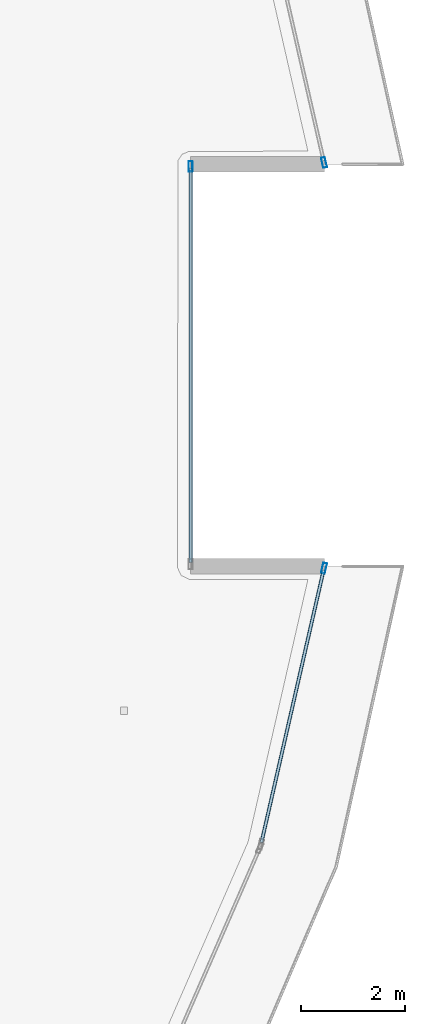
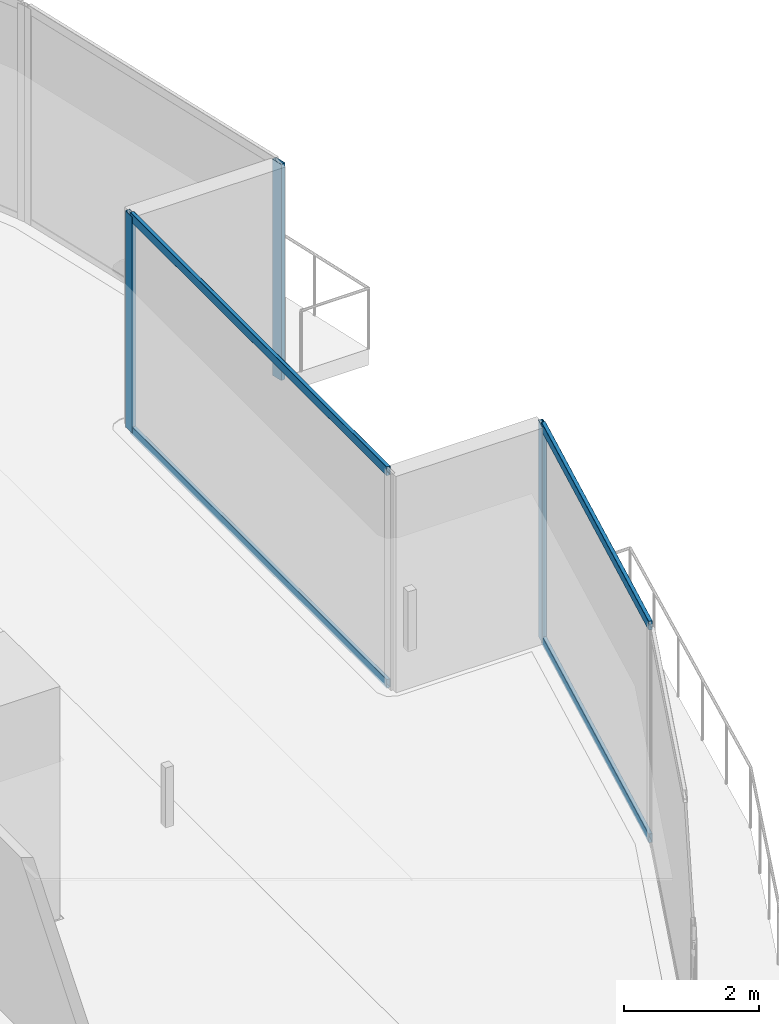
# One storey, part 13 of 31: 7 members, 3 elements without a shape of their own.
"""IFC4 building model written with IfcOpenShell, lengths in metres."""

from ifc_helpers import new_model, si_unit, direction, frame, origin, origin_2d, place, context, subcontext, project, spatial, hollow_rectangle, extrude, material, layer, layer_set, material_profile, profile_set, type_object, element, aggregate, save


model = new_model("IFC4")

# Units and contexts
model_context = context("Model", 3, precision=1e-05, world=origin(), true_north=direction((0.0, 1.0)))
body_context = subcontext(model_context, "Body", "Model", "MODEL_VIEW")
ifc_project = project(units=[si_unit("LENGTHUNIT", "METRE"), si_unit("AREAUNIT", "SQUARE_METRE"), si_unit("VOLUMEUNIT", "CUBIC_METRE"), si_unit("PLANEANGLEUNIT", "RADIAN"), si_unit("MASSUNIT", "GRAM", prefix="KILO")], contexts=[model_context])

# Site, building, storey
site_placement = place(None, origin())
site = spatial("IfcSite", under=ifc_project, at=site_placement, CompositionType="ELEMENT")
building_placement = place(site_placement, origin())
building = spatial("IfcBuilding", under=site, at=building_placement, Name="Qorvath Tower", CompositionType="ELEMENT")
storey_placement = place(building_placement, frame((0.0, 0.0, 264.0)))
storey = spatial("IfcBuildingStorey", under=building, at=storey_placement, Name="L61", CompositionType="ELEMENT", Elevation=264.0)

# Curtain wall, member
ifc_material_1 = material(Name="Anodised aluminium and triple low-E glass", Category="aluminium")
ifc_layer = layer(ifc_material_1, 0.179931640625)
ifc_layer_set = layer_set([ifc_layer], Name="CW-SYS-4")
curtain_wall_type = type_object("IfcCurtainWallType", Name="CW-SYS-4", PredefinedType="NOTDEFINED", material=ifc_layer_set)
curtain_wall_1_placement = place(storey_placement, origin())
curtain_wall_1 = element("IfcCurtainWall", 1, at=curtain_wall_1_placement, inside=storey, type_object=curtain_wall_type, Name="Curtain Wall CW-4 CW-T-L61-7.1", PredefinedType="NOTDEFINED")
ifc_material_2 = material(Name="Anodised aluminium 6063-T6", Category="aluminium")
ifc_material_profile_1 = material_profile(ifc_material_2, hollow_rectangle(XDim=0.074951171875, YDim=0.199951171875, WallThickness=0.00390625, InnerFilletRadius=0.00390625, OuterFilletRadius=0.008056640625, at=origin_2d()), Name="CWM 200x75")
ifc_profile_set_1 = profile_set([ifc_material_profile_1], Name="Anodised aluminium 6063-T6")
member_type_1 = type_object("IfcMemberType", Name="CWM-200", PredefinedType="MULLION", material=ifc_profile_set_1)
member_1_placement = place(storey_placement, frame((-1.47509765625, -3.908447265625, 0.0), z_axis=(0.0, 0.0, 1.0), x_axis=(-0.97494194825, 0.22245942898, 0.0)))
member_1 = element("IfcMember", 2, at=member_1_placement, type_object=member_type_1, Name="CW-4 mullion 2", PredefinedType="MULLION", context=body_context, shape_type="SweptSolid", body=[
    extrude(hollow_rectangle(XDim=0.074951171875, YDim=0.199951171875, WallThickness=0.00390625, InnerFilletRadius=0.00390625, OuterFilletRadius=0.008056640625, at=origin_2d()), origin(), (0.0, 0.0, 1.0), 3.909912109375),
])

curtain_wall_2_placement = place(storey_placement, origin())
curtain_wall_2 = element("IfcCurtainWall", 3, at=curtain_wall_2_placement, inside=storey, type_object=curtain_wall_type, Name="Curtain Wall CW-4 CW-T-L61-9.1", PredefinedType="NOTDEFINED")
member_2_placement = place(storey_placement, frame((-4.0478515625, 3.834228515625, 0.0), z_axis=(0.0, 0.0, 1.0), x_axis=(-1.0, 0.0, 0.0)))
member_2 = element("IfcMember", 4, at=member_2_placement, type_object=member_type_1, Name="CW-4 mullion 2", PredefinedType="MULLION", context=body_context, shape_type="SweptSolid", body=[
    extrude(hollow_rectangle(XDim=0.074951171875, YDim=0.199951171875, WallThickness=0.00390625, InnerFilletRadius=0.00390625, OuterFilletRadius=0.008056640625, at=origin_2d()), origin(), (0.0, 0.0, 1.0), 3.909912109375),
])

curtain_wall_3_placement = place(storey_placement, origin())
curtain_wall_3 = element("IfcCurtainWall", 5, at=curtain_wall_3_placement, inside=storey, type_object=curtain_wall_type, Name="Curtain Wall CW-4 CW-T-L61-11.1", PredefinedType="NOTDEFINED")
member_3_placement = place(storey_placement, frame((-1.47509765625, 3.908447265625, 0.0), z_axis=(0.0, 0.0, 1.0), x_axis=(-0.97494194825, -0.22245942898, 0.0)))
member_3 = element("IfcMember", 6, at=member_3_placement, type_object=member_type_1, Name="CW-4 mullion 1", PredefinedType="MULLION", context=body_context, shape_type="SweptSolid", body=[
    extrude(hollow_rectangle(XDim=0.074951171875, YDim=0.199951171875, WallThickness=0.00390625, InnerFilletRadius=0.00390625, OuterFilletRadius=0.008056640625, at=origin_2d()), origin(), (0.0, 0.0, 1.0), 3.909912109375),
])
aggregate(curtain_wall_3, [member_3])

# Member
ifc_material_3 = material(Name="Anodised aluminium 6063-T6", Category="aluminium")
ifc_material_profile_2 = material_profile(ifc_material_3, hollow_rectangle(XDim=0.06494140625, YDim=0.159912109375, WallThickness=0.00341796875, InnerFilletRadius=0.00341796875, OuterFilletRadius=0.007080078125, at=origin_2d()), Name="CWT 160x65")
ifc_profile_set_2 = profile_set([ifc_material_profile_2], Name="Anodised aluminium 6063-T6")
member_type_2 = type_object("IfcMemberType", Name="CWT-160", PredefinedType="USERDEFINED", material=ifc_profile_set_2)
member_4_placement = place(storey_placement, frame((-2.681884765625, -9.19677734375, 0.032470703125), z_axis=(0.222478993506, 0.974937483867, 0.0), x_axis=(-0.974937483867, 0.222478993506, 0.0)))
member_4 = element("IfcMember", 7, at=member_4_placement, type_object=member_type_2, Name="CW-4 transom 1.1", ObjectType="TRANSOM", PredefinedType="USERDEFINED", context=body_context, shape_type="SweptSolid", body=[
    extrude(hollow_rectangle(XDim=0.06494140625, YDim=0.159912109375, WallThickness=0.00341796875, InnerFilletRadius=0.00341796875, OuterFilletRadius=0.007080078125, at=origin_2d()), origin(), (0.0, 0.0, 1.0), 5.386962890625),
])

member_5_placement = place(storey_placement, frame((-2.681884765625, -9.19677734375, 3.87744140625), z_axis=(0.222478993506, 0.974937483867, 0.0), x_axis=(-0.974937483867, 0.222478993506, 0.0)))
member_5 = element("IfcMember", 8, at=member_5_placement, type_object=member_type_2, Name="CW-4 transom 1.2", ObjectType="TRANSOM", PredefinedType="USERDEFINED", context=body_context, shape_type="SweptSolid", body=[
    extrude(hollow_rectangle(XDim=0.06494140625, YDim=0.159912109375, WallThickness=0.00341796875, InnerFilletRadius=0.00341796875, OuterFilletRadius=0.007080078125, at=origin_2d()), origin(), (0.0, 0.0, 1.0), 5.386962890625),
])

aggregate(curtain_wall_1, [member_1, member_4, member_5])

member_6_placement = place(storey_placement, frame((-4.0478515625, -3.796875, 0.032470703125), z_axis=(0.0, 1.0, 0.0), x_axis=(-1.0, 0.0, 0.0)))
member_6 = element("IfcMember", 9, at=member_6_placement, type_object=member_type_2, Name="CW-4 transom 1.1", ObjectType="TRANSOM", PredefinedType="USERDEFINED", context=body_context, shape_type="SweptSolid", body=[
    extrude(hollow_rectangle(XDim=0.06494140625, YDim=0.159912109375, WallThickness=0.00341796875, InnerFilletRadius=0.00341796875, OuterFilletRadius=0.007080078125, at=origin_2d()), origin(), (0.0, 0.0, 1.0), 7.59375),
])

member_7_placement = place(storey_placement, frame((-4.0478515625, -3.796875, 3.87744140625), z_axis=(0.0, 1.0, 0.0), x_axis=(-1.0, 0.0, 0.0)))
member_7 = element("IfcMember", 10, at=member_7_placement, type_object=member_type_2, Name="CW-4 transom 1.2", ObjectType="TRANSOM", PredefinedType="USERDEFINED", context=body_context, shape_type="SweptSolid", body=[
    extrude(hollow_rectangle(XDim=0.06494140625, YDim=0.159912109375, WallThickness=0.00341796875, InnerFilletRadius=0.00341796875, OuterFilletRadius=0.007080078125, at=origin_2d()), origin(), (0.0, 0.0, 1.0), 7.59375),
])

aggregate(curtain_wall_2, [member_2, member_6, member_7])

save(model, "model.ifc")
